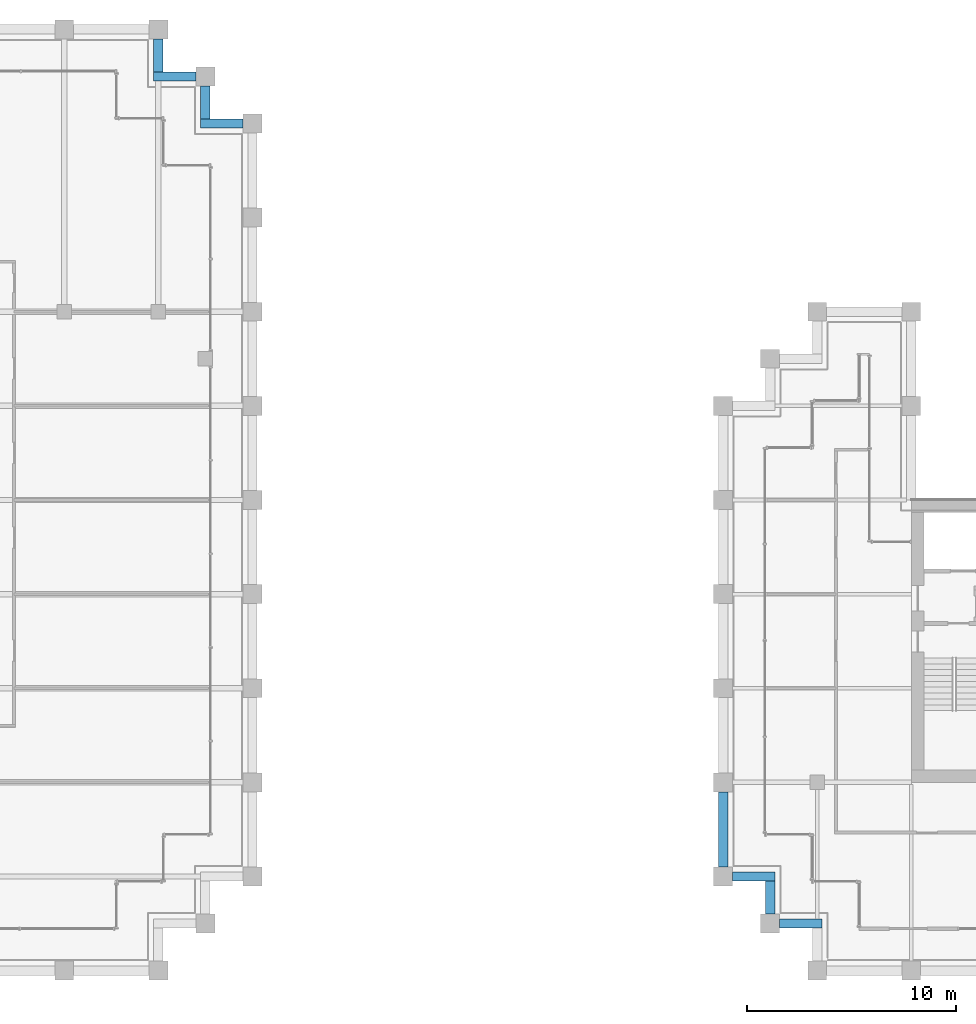
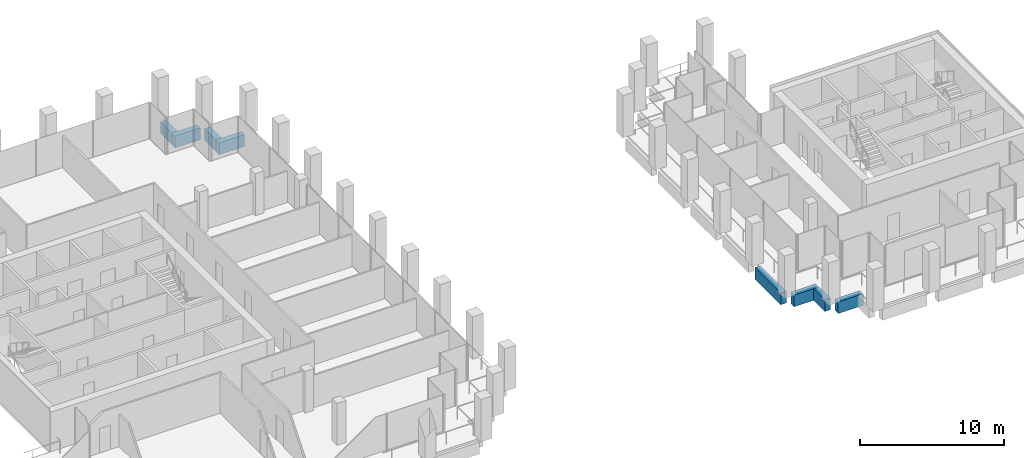
# One storey, part 27 of 40: 8 beams.
"""IFC4 building model written with IfcOpenShell, lengths in metres."""

from ifc_helpers import new_model, si_unit, direction, frame, origin, origin_2d, place, context, subcontext, project, spatial, rectangle, extrude, material, material_profile, profile_set, type_object, element, save


model = new_model("IFC4")

# Units and contexts
model_context = context("Model", 3, precision=1e-05, world=origin(), true_north=direction((0.0, 1.0)))
body_context = subcontext(model_context, "Body", "Model", "MODEL_VIEW")
ifc_project = project(units=[si_unit("LENGTHUNIT", "METRE"), si_unit("AREAUNIT", "SQUARE_METRE"), si_unit("VOLUMEUNIT", "CUBIC_METRE"), si_unit("PLANEANGLEUNIT", "RADIAN"), si_unit("MASSUNIT", "GRAM", prefix="KILO")], contexts=[model_context])

# Site, building, storey
site_placement = place(None, origin())
site = spatial("IfcSite", under=ifc_project, at=site_placement, CompositionType="ELEMENT")
building_placement = place(site_placement, origin())
building = spatial("IfcBuilding", under=site, at=building_placement, Name="Altepetl Exchange Towers", CompositionType="ELEMENT")
storey_placement = place(building_placement, frame((0.0, 0.0, 151.0)))
storey = spatial("IfcBuildingStorey", under=building, at=storey_placement, Name="L37", CompositionType="ELEMENT", Elevation=151.0)

# Beams
ifc_material_1 = material(Name="Concrete C50/60 precast with cantera rosa facing", Category="concrete")
ifc_material_profile_1 = material_profile(ifc_material_1, rectangle(XDim=0.449951171875, YDim=1.0, at=origin_2d()), Name="450 x 1000")
ifc_profile_set_1 = profile_set([ifc_material_profile_1], Name="Concrete C50/60 precast with cantera rosa facing")
beam_type_1 = type_object("IfcBeamType", Name="Spandrel beam 450x1000 cantera rosa", PredefinedType="SPANDREL", material=ifc_profile_set_1)
beam_1_placement = place(storey_placement, frame((71.550048828125, 67.5, -0.64990234375), z_axis=(-1.0, 0.0, 0.0), x_axis=(0.0, -1.0, 0.0)))
element("IfcBeam", 1, at=beam_1_placement, inside=storey, type_object=beam_type_1, Name="sp:A:L37:020", PredefinedType="SPANDREL", context=body_context, shape_type="SweptSolid", body=[
    extrude(rectangle(XDim=0.449951171875, YDim=1.0, at=origin_2d()), origin(), (0.0, 0.0, 1.0), 2.025146484375),
])
beam_2_placement = place(storey_placement, frame((69.75, 67.72509765625, -0.64990234375), z_axis=(0.0, 1.0, 0.0), x_axis=(-1.0, 0.0, 0.0)))
element("IfcBeam", 2, at=beam_2_placement, inside=storey, type_object=beam_type_1, Name="sp:A:L37:021", PredefinedType="SPANDREL", context=body_context, shape_type="SweptSolid", body=[
    extrude(rectangle(XDim=0.449951171875, YDim=1.0, at=origin_2d()), origin(), (0.0, 0.0, 1.0), 1.574951171875),
])
beam_3_placement = place(storey_placement, frame((69.300048828125, 69.75, -0.64990234375), z_axis=(-1.0, 0.0, 0.0), x_axis=(0.0, -1.0, 0.0)))
element("IfcBeam", 3, at=beam_3_placement, inside=storey, type_object=beam_type_1, Name="sp:A:L37:022", PredefinedType="SPANDREL", context=body_context, shape_type="SweptSolid", body=[
    extrude(rectangle(XDim=0.449951171875, YDim=1.0, at=origin_2d()), origin(), (0.0, 0.0, 1.0), 2.025146484375),
])
beam_4_placement = place(storey_placement, frame((67.5, 69.97509765625, -0.64990234375), z_axis=(0.0, 1.0, 0.0), x_axis=(-1.0, 0.0, 0.0)))
element("IfcBeam", 4, at=beam_4_placement, inside=storey, type_object=beam_type_1, Name="sp:A:L37:023", PredefinedType="SPANDREL", context=body_context, shape_type="SweptSolid", body=[
    extrude(rectangle(XDim=0.449951171875, YDim=1.0, at=origin_2d()), origin(), (0.0, 0.0, 1.0), 1.574951171875),
])
ifc_material_2 = material(Name="Concrete C50/60 precast with tezontle facing", Category="concrete")
ifc_material_profile_2 = material_profile(ifc_material_2, rectangle(XDim=0.449951171875, YDim=1.0, at=origin_2d()), Name="450 x 1000")
ifc_profile_set_2 = profile_set([ifc_material_profile_2], Name="Concrete C50/60 precast with tezontle facing")
beam_type_2 = type_object("IfcBeamType", Name="Spandrel beam 450x1000 tezontle", PredefinedType="SPANDREL", material=ifc_profile_set_2)
beam_5_placement = place(storey_placement, frame((94.5, 35.550048828125, -0.64990234375), z_axis=(0.0, -1.0, 0.0), x_axis=(1.0, 0.0, 0.0)))
element("IfcBeam", 5, at=beam_5_placement, inside=storey, type_object=beam_type_2, Name="sp:B:L37:019", PredefinedType="SPANDREL", context=body_context, shape_type="SweptSolid", body=[
    extrude(rectangle(XDim=0.449951171875, YDim=1.0, at=origin_2d()), origin(), (0.0, 0.0, 1.0), 3.60009765625),
])
beam_6_placement = place(storey_placement, frame((94.949951171875, 31.5, -0.64990234375), z_axis=(1.0, 0.0, 0.0), x_axis=(0.0, 1.0, 0.0)))
element("IfcBeam", 6, at=beam_6_placement, inside=storey, type_object=beam_type_2, Name="sp:B:L37:020", PredefinedType="SPANDREL", context=body_context, shape_type="SweptSolid", body=[
    extrude(rectangle(XDim=0.449951171875, YDim=1.0, at=origin_2d()), origin(), (0.0, 0.0, 1.0), 2.025146484375),
])
beam_7_placement = place(storey_placement, frame((96.75, 31.27490234375, -0.64990234375), z_axis=(0.0, -1.0, 0.0), x_axis=(1.0, 0.0, 0.0)))
element("IfcBeam", 7, at=beam_7_placement, inside=storey, type_object=beam_type_2, Name="sp:B:L37:021", PredefinedType="SPANDREL", context=body_context, shape_type="SweptSolid", body=[
    extrude(rectangle(XDim=0.449951171875, YDim=1.0, at=origin_2d()), origin(), (0.0, 0.0, 1.0), 1.574951171875),
])
beam_8_placement = place(storey_placement, frame((97.199951171875, 29.25, -0.64990234375), z_axis=(1.0, 0.0, 0.0), x_axis=(0.0, 1.0, 0.0)))
element("IfcBeam", 8, at=beam_8_placement, inside=storey, type_object=beam_type_2, Name="sp:B:L37:022", PredefinedType="SPANDREL", context=body_context, shape_type="SweptSolid", body=[
    extrude(rectangle(XDim=0.449951171875, YDim=1.0, at=origin_2d()), origin(), (0.0, 0.0, 1.0), 2.025146484375),
])

save(model, "model.ifc")
